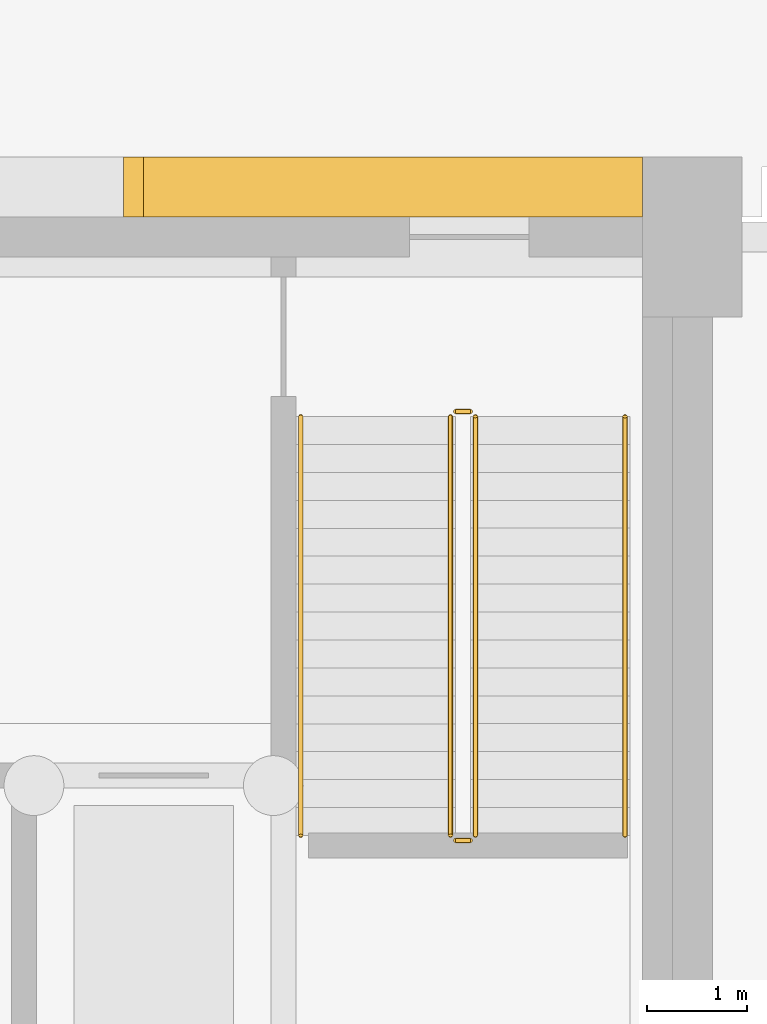
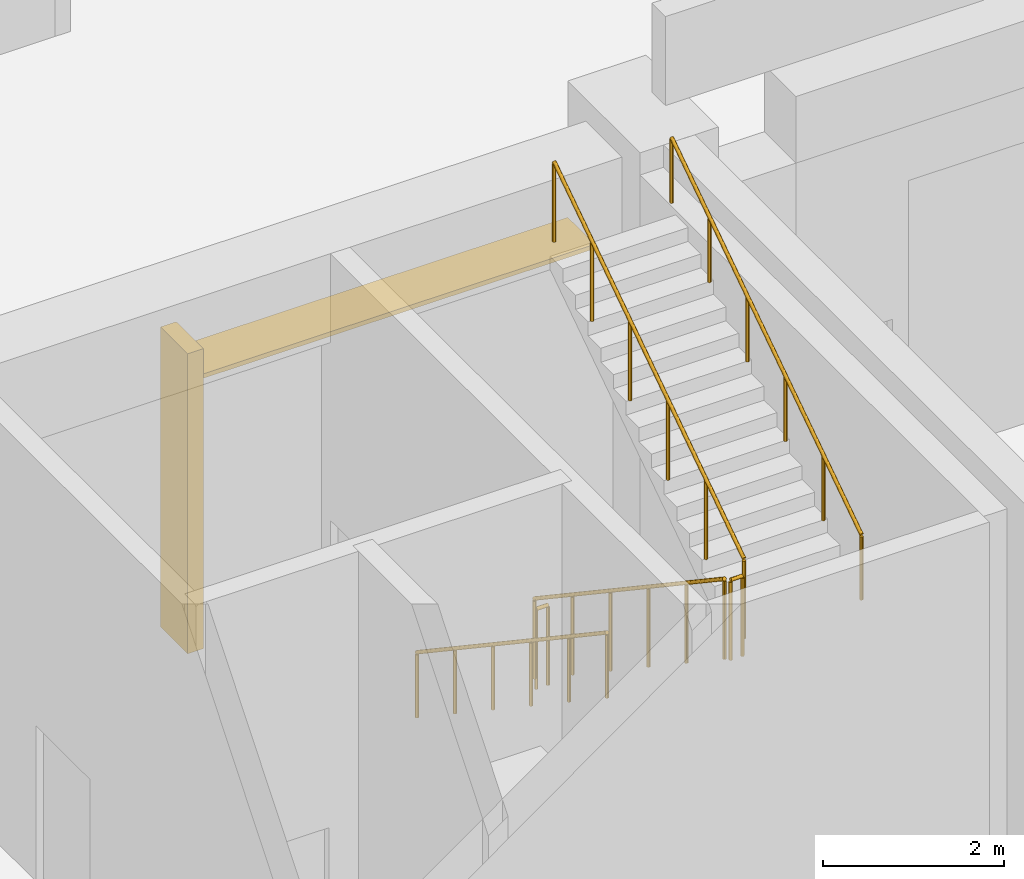
# One storey, part 205 of 210: 6 railings, 1 covering, 1 shading device.
"""IFC4 building model written with IfcOpenShell, lengths in metres."""

import ifcopenshell
import ifcopenshell.guid

model = None  # the IFC model being written
_history = None  # IfcOwnerHistory: only IFC2X3 demands one
_inside = {}  # id of a spatial element -> (the spatial element, [elements in it])
_under = {}  # id of a project, library or spatial element -> (it, [spatial elements below it])
_declared = {}  # id of a project -> (the project, [libraries it declares])
_typed = {}  # id of a type object -> (the type object, [elements of that type])
_made_of = {}  # id of a material, layer set ... -> (it, [elements and type objects made of it])


def new_model(schema):
    """Start an empty IFC model of exactly this schema.

    Asked for "IFC4X3", IfcOpenShell would pick the latest addendum, in which some entities
    have other attributes; the version numbers below select the first issue.
    IFC2X3 requires an IfcOwnerHistory on every rooted entity: one is made here for all.
    """
    global model, _history
    if schema == "IFC4X3":
        model = ifcopenshell.file(schema_version=(4, 3, 0, 0))
    else:
        model = ifcopenshell.file(schema=schema)
    _inside.clear()
    _under.clear()
    _declared.clear()
    _typed.clear()
    _made_of.clear()
    _history = None
    if model.schema == "IFC2X3":
        org = make("IfcOrganization", Name="unknown")
        user = make(
            "IfcPersonAndOrganization",
            ThePerson=make("IfcPerson", FamilyName="unknown"),
            TheOrganization=org,
        )
        app = make(
            "IfcApplication",
            ApplicationDeveloper=org,
            Version="unknown",
            ApplicationFullName="unknown",
            ApplicationIdentifier="unknown",
        )
        _history = make(
            "IfcOwnerHistory",
            OwningUser=user,
            OwningApplication=app,
            ChangeAction="ADDED",
            CreationDate=0,
        )
    return model


def make(cls, **values):
    """One entity of the class cls with the attributes given. An attribute that is None is left unset."""
    return model.create_entity(
        cls, **{name: value for name, value in values.items() if value is not None}
    )


def rooted(cls, **values):
    """An entity with a GlobalId (a new one), such as an element, a storey or a relation."""
    return make(cls, GlobalId=ifcopenshell.guid.new(), OwnerHistory=_history, **values)


def si_unit(unit_type, name, prefix=None):
    """IfcSIUnit, for example si_unit("LENGTHUNIT", "METRE", prefix="MILLI")."""
    return make("IfcSIUnit", UnitType=unit_type, Prefix=prefix, Name=name)


def assignment(units):
    """IfcUnitAssignment: the units of a project."""
    return None if units is None else make("IfcUnitAssignment", Units=units)


def point(xyz):
    """IfcCartesianPoint."""
    return None if xyz is None else make("IfcCartesianPoint", Coordinates=xyz)


def direction(xyz):
    """IfcDirection."""
    return None if xyz is None else make("IfcDirection", DirectionRatios=xyz)


def frame(location, z_axis=None, x_axis=None):
    """IfcAxis2Placement3D, a coordinate frame: its origin and axes. An axis left out is left unset."""
    return make(
        "IfcAxis2Placement3D",
        Location=point(location),
        Axis=direction(z_axis),
        RefDirection=direction(x_axis),
    )


def frame_2d(location, x_axis=None):
    """IfcAxis2Placement2D, a coordinate frame in the plane: its origin and x axis."""
    return make(
        "IfcAxis2Placement2D", Location=point(location), RefDirection=direction(x_axis)
    )


def origin():
    """The frame at (0, 0, 0) with its axes left unset."""
    return frame((0.0, 0.0, 0.0))


def origin_2d():
    """The frame at (0, 0) in the plane with its x axis left unset."""
    return frame_2d((0.0, 0.0))


def place(relative_to, where):
    """IfcLocalPlacement: puts the frame where relative to a parent placement (None: the world)."""
    return make(
        "IfcLocalPlacement", PlacementRelTo=relative_to, RelativePlacement=where
    )


def context(
    kind, dimensions, precision=None, world=None, true_north=None, identifier=None
):
    """IfcGeometricRepresentationContext, for example the 3D "Model" context."""
    return make(
        "IfcGeometricRepresentationContext",
        ContextIdentifier=identifier,
        ContextType=kind,
        CoordinateSpaceDimension=dimensions,
        Precision=precision,
        WorldCoordinateSystem=world,
        TrueNorth=true_north,
    )


def subcontext(parent, identifier, kind, view, scale=None):
    """IfcGeometricRepresentationSubContext, for example "Body" below "Model"."""
    return make(
        "IfcGeometricRepresentationSubContext",
        ContextIdentifier=identifier,
        ContextType=kind,
        ParentContext=parent,
        TargetScale=scale,
        TargetView=view,
    )


def project(units=None, contexts=None):
    """IfcProject with its units and contexts."""
    return rooted(
        "IfcProject",
        Name="project",
        RepresentationContexts=contexts,
        UnitsInContext=assignment(units),
    )


def spatial(cls, under=None, at=None, **own):
    """A site, building, storey or space (cls), placed at a placement, below another one or the project."""
    s = rooted(cls, ObjectPlacement=at, **own)
    if under is not None:
        _under.setdefault(under.id(), (under, []))[1].append(s)
    return s


def profile(cls, at=None, kind="AREA", **sizes):
    """A parametric profile (cls). Its sizes go by their IFC names, for example OverallWidth=200.0."""
    return make(cls, ProfileType=kind, Position=at, **sizes)


def rectangle(**sizes):
    """IfcRectangleProfileDef."""
    return profile("IfcRectangleProfileDef", **sizes)


def circle(**sizes):
    """IfcCircleProfileDef."""
    return profile("IfcCircleProfileDef", **sizes)


def extrude(swept, where, along, depth):
    """IfcExtrudedAreaSolid: the profile swept, set in the frame where, extruded along a direction by depth."""
    return make(
        "IfcExtrudedAreaSolid",
        SweptArea=swept,
        Position=where,
        ExtrudedDirection=direction(along),
        Depth=depth,
    )


def shape(context_of_items, identifier, shape_type, items):
    """IfcShapeRepresentation: the items that make up one representation, for example the "Body"."""
    return make(
        "IfcShapeRepresentation",
        ContextOfItems=context_of_items,
        RepresentationIdentifier=identifier,
        RepresentationType=shape_type,
        Items=items,
    )


def material(Name=None, Category=None):
    """IfcMaterial."""
    return make("IfcMaterial", Name=Name, Category=Category)


def layer(
    of_material, thickness, ventilated=None, Name=None, Category=None, Priority=None
):
    """IfcMaterialLayer: one layer of a wall or slab, of a material (None: an air gap)."""
    return make(
        "IfcMaterialLayer",
        Material=of_material,
        LayerThickness=thickness,
        IsVentilated=ventilated,
        Name=Name,
        Category=Category,
        Priority=Priority,
    )


def layer_set(layers, Name=None):
    """IfcMaterialLayerSet."""
    return make("IfcMaterialLayerSet", MaterialLayers=layers, LayerSetName=Name)


def made_of(thing, what):
    """Note that an element or type object is made of a material, layer set ...; save() writes the relation."""
    if what is not None:
        _made_of.setdefault(what.id(), (what, []))[1].append(thing)
    return thing


def type_object(cls, material=None, **own):
    """A type object (cls), such as IfcWallType, which elements share."""
    return made_of(rooted(cls, **own), material)


def element(
    cls,
    number,
    at=None,
    inside=None,
    cuts=None,
    type_object=None,
    material=None,
    context=None,
    identifier="Body",
    shape_type=None,
    held_by="IfcProductDefinitionShape",
    body=None,
    shapes=None,
    **own,
):
    """One element of the class cls, such as IfcWall. Its Tag is "e" and its number.

    at: its placement. inside: the storey or other place that contains it. cuts: it is an
    opening in that element (IfcRelVoidsElement). A single representation is given by context,
    identifier, shape_type and body (its items); several are given by shapes. held_by: the class
    of the entity that holds the representations. save() writes the other relations.
    """
    e = rooted(cls, Tag="e%d" % number, ObjectPlacement=at, **own)
    if body is not None:
        shapes = [shape(context, identifier, shape_type, body)]
    if shapes is not None:
        e.Representation = make(held_by, Representations=shapes)
    if inside is not None:
        _inside.setdefault(inside.id(), (inside, []))[1].append(e)
    if cuts is not None:
        rooted(
            "IfcRelVoidsElement", RelatingBuildingElement=cuts, RelatedOpeningElement=e
        )
    if type_object is not None:
        _typed.setdefault(type_object.id(), (type_object, []))[1].append(e)
    return made_of(e, material)


def aggregate(whole, parts):
    """IfcRelAggregates: a whole, such as a stair, and the parts it consists of."""
    return rooted("IfcRelAggregates", RelatingObject=whole, RelatedObjects=parts)


def save(model, path):
    """Write the relations noted so far, then the file.

    IfcRelAggregates (storeys below a building ...), IfcRelContainedInSpatialStructure (elements
    in a storey), IfcRelDefinesByType, IfcRelAssociatesMaterial and IfcRelDeclares: one each for
    every whole, place, type object, material and project.
    """
    for whole, parts in _under.values():
        aggregate(whole, parts)
    for where, things in _inside.values():
        rooted(
            "IfcRelContainedInSpatialStructure",
            RelatedElements=things,
            RelatingStructure=where,
        )
    for kind, things in _typed.values():
        rooted("IfcRelDefinesByType", RelatedObjects=things, RelatingType=kind)
    for what, things in _made_of.values():
        rooted("IfcRelAssociatesMaterial", RelatedObjects=things, RelatingMaterial=what)
    for by, libraries in _declared.values():
        rooted("IfcRelDeclares", RelatingContext=by, RelatedDefinitions=libraries)
    model.write(path)


model = new_model("IFC4")

# Units and contexts
model_context = context("Model", 3, precision=1e-05, world=origin(), true_north=direction((0.0, 1.0)))
body_context = subcontext(model_context, "Body", "Model", "MODEL_VIEW")
ifc_project = project(units=[si_unit("LENGTHUNIT", "METRE"), si_unit("AREAUNIT", "SQUARE_METRE"), si_unit("VOLUMEUNIT", "CUBIC_METRE"), si_unit("PLANEANGLEUNIT", "RADIAN"), si_unit("MASSUNIT", "GRAM", prefix="KILO")], contexts=[model_context])

# Site, building, storey
site_placement = place(None, origin())
site = spatial("IfcSite", under=ifc_project, at=site_placement, CompositionType="ELEMENT")
building_placement = place(site_placement, origin())
building = spatial("IfcBuilding", under=site, at=building_placement, Name="Rain Tree Exposition and Congress Centre", CompositionType="ELEMENT")
storey_placement = place(building_placement, origin())
storey = spatial("IfcBuildingStorey", under=building, at=storey_placement, Name="L00", CompositionType="ELEMENT", Elevation=0.0)

# Covering
ifc_material_1 = material(Name="Precast concrete C50/60", Category="concrete")
ifc_layer_1 = layer(ifc_material_1, 0.199951171875)
ifc_layer_set_1 = layer_set([ifc_layer_1], Name="Precast concrete C50/60")
covering_type = type_object("IfcCoveringType", Name="North face fin 200x600", PredefinedType="CLADDING", material=ifc_layer_set_1)
covering_placement = place(storey_placement, frame((238.0, 202.10009765625, 0.4501953125), z_axis=(0.0, 0.0, 1.0), x_axis=(1.0, 0.0, 0.0)))
element("IfcCovering", 1, at=covering_placement, inside=storey, type_object=covering_type, Name="Facade fin N6.2", PredefinedType="CLADDING", context=body_context, shape_type="SweptSolid", body=[
    extrude(rectangle(XDim=0.199951171875, YDim=0.60009765625, at=origin_2d()), origin(), (0.0, 0.0, 1.0), 4.050048828125),
])

# Railings
ifc_material_2 = material(Name="Steel S355J2H", Category="steel")
railing_type_1 = type_object("IfcRailingType", Name="Stair guard 1100", PredefinedType="GUARDRAIL", material=ifc_material_2)
railing_1_placement = place(storey_placement, frame((241.175048828125, 199.800048828125, 0.1875)))
element("IfcRailing", 2, at=railing_1_placement, inside=storey, type_object=railing_type_1, Name="L00 ST-H8 stair guard 1", PredefinedType="GUARDRAIL", context=body_context, shape_type="SweptSolid", body=[
    extrude(circle(Radius=0.02392578125, at=origin_2d()), frame((0.0, 0.0, 1.076171875), z_axis=(0.0, -0.830904186295, 0.556415522067), x_axis=(1.0, 0.0, 0.0)), (0.0, 0.0, 1.0), 5.0546875),
    extrude(circle(Radius=0.02099609375, at=origin_2d()), origin(), (0.0, 0.0, 1.0), 1.052001953125),
    extrude(circle(Radius=0.02099609375, at=origin_2d()), frame((0.0, -0.840087890625, 0.5625)), (0.0, 0.0, 1.0), 1.052001953125),
    extrude(circle(Radius=0.02099609375, at=origin_2d()), frame((0.0, -1.679931640625, 1.125)), (0.0, 0.0, 1.0), 1.052001953125),
    extrude(circle(Radius=0.02099609375, at=origin_2d()), frame((0.0, -2.52001953125, 1.6875)), (0.0, 0.0, 1.0), 1.052001953125),
    extrude(circle(Radius=0.02099609375, at=origin_2d()), frame((0.0, -3.35986328125, 2.25)), (0.0, 0.0, 1.0), 1.052001953125),
    extrude(circle(Radius=0.02099609375, at=origin_2d()), frame((0.0, -4.199951171875, 2.8125)), (0.0, 0.0, 1.0), 1.052001953125),
])
railing_2_placement = place(storey_placement, frame((241.22509765625, 195.550048828125, 3.0)))
element("IfcRailing", 3, at=railing_2_placement, inside=storey, type_object=railing_type_1, Name="L00 ST-H8 stair guard 2", PredefinedType="GUARDRAIL", context=body_context, shape_type="SweptSolid", body=[
    extrude(circle(Radius=0.02392578125, at=origin_2d()), frame((0.0, 0.0, 1.076171875), z_axis=(1.0, 0.0, 0.0), x_axis=(0.0, 1.0, 0.0)), (0.0, 0.0, 1.0), 0.14990234375),
    extrude(circle(Radius=0.02099609375, at=origin_2d()), origin(), (0.0, 0.0, 1.0), 1.052001953125),
    extrude(circle(Radius=0.02099609375, at=origin_2d()), frame((0.14990234375, 0.0, 0.0)), (0.0, 0.0, 1.0), 1.052001953125),
])
railing_3_placement = place(storey_placement, frame((241.425048828125, 195.60009765625, 3.1875)))
element("IfcRailing", 4, at=railing_3_placement, inside=storey, type_object=railing_type_1, Name="L00 ST-H8 stair guard 3", PredefinedType="GUARDRAIL", context=body_context, shape_type="SweptSolid", body=[
    extrude(circle(Radius=0.02392578125, at=origin_2d()), frame((0.0, 0.0, 1.076171875), z_axis=(0.0, 0.830904186295, 0.556415522067), x_axis=(-1.0, 0.0, 0.0)), (0.0, 0.0, 1.0), 5.0546875),
    extrude(circle(Radius=0.02099609375, at=origin_2d()), origin(), (0.0, 0.0, 1.0), 1.052001953125),
    extrude(circle(Radius=0.02099609375, at=origin_2d()), frame((0.0, 0.840087890625, 0.5625)), (0.0, 0.0, 1.0), 1.052001953125),
    extrude(circle(Radius=0.02099609375, at=origin_2d()), frame((0.0, 1.679931640625, 1.125)), (0.0, 0.0, 1.0), 1.052001953125),
    extrude(circle(Radius=0.02099609375, at=origin_2d()), frame((0.0, 2.52001953125, 1.6875)), (0.0, 0.0, 1.0), 1.052001953125),
    extrude(circle(Radius=0.02099609375, at=origin_2d()), frame((0.0, 3.35986328125, 2.25)), (0.0, 0.0, 1.0), 1.052001953125),
    extrude(circle(Radius=0.02099609375, at=origin_2d()), frame((0.0, 4.199951171875, 2.8125)), (0.0, 0.0, 1.0), 1.052001953125),
])
railing_4_placement = place(storey_placement, frame((241.22509765625, 199.85009765625, 0.0)))
element("IfcRailing", 5, at=railing_4_placement, inside=storey, type_object=railing_type_1, Name="L00 ST-H8 stair guard 4", PredefinedType="GUARDRAIL", context=body_context, shape_type="SweptSolid", body=[
    extrude(circle(Radius=0.02392578125, at=origin_2d()), frame((0.0, 0.0, 1.076171875), z_axis=(1.0, 0.0, 0.0), x_axis=(0.0, 1.0, 0.0)), (0.0, 0.0, 1.0), 0.14990234375),
    extrude(circle(Radius=0.02099609375, at=origin_2d()), origin(), (0.0, 0.0, 1.0), 1.052001953125),
    extrude(circle(Radius=0.02099609375, at=origin_2d()), frame((0.14990234375, 0.0, 0.0)), (0.0, 0.0, 1.0), 1.052001953125),
])
ifc_material_3 = material(Name="Steel S355J2H", Category="steel")
railing_type_2 = type_object("IfcRailingType", Name="Stair handrail 900", PredefinedType="HANDRAIL", material=ifc_material_3)
railing_5_placement = place(storey_placement, frame((239.675048828125, 199.800048828125, 0.1875)))
element("IfcRailing", 6, at=railing_5_placement, inside=storey, type_object=railing_type_2, Name="L00 ST-H8 stair handrail 1", PredefinedType="HANDRAIL", context=body_context, shape_type="SweptSolid", body=[
    extrude(circle(Radius=0.02392578125, at=origin_2d()), frame((0.0, 0.0, 0.8759765625), z_axis=(0.0, -0.830904186295, 0.556415522067), x_axis=(1.0, 0.0, 0.0)), (0.0, 0.0, 1.0), 5.0546875),
    extrude(circle(Radius=0.02099609375, at=origin_2d()), origin(), (0.0, 0.0, 1.0), 0.851806640625),
    extrude(circle(Radius=0.02099609375, at=origin_2d()), frame((0.0, -0.840087890625, 0.5625)), (0.0, 0.0, 1.0), 0.851806640625),
    extrude(circle(Radius=0.02099609375, at=origin_2d()), frame((0.0, -1.679931640625, 1.125)), (0.0, 0.0, 1.0), 0.851806640625),
    extrude(circle(Radius=0.02099609375, at=origin_2d()), frame((0.0, -2.52001953125, 1.6875)), (0.0, 0.0, 1.0), 0.851806640625),
    extrude(circle(Radius=0.02099609375, at=origin_2d()), frame((0.0, -3.35986328125, 2.25)), (0.0, 0.0, 1.0), 0.851806640625),
    extrude(circle(Radius=0.02099609375, at=origin_2d()), frame((0.0, -4.199951171875, 2.8125)), (0.0, 0.0, 1.0), 0.851806640625),
])
railing_6_placement = place(storey_placement, frame((242.925048828125, 195.60009765625, 3.1875)))
element("IfcRailing", 7, at=railing_6_placement, inside=storey, type_object=railing_type_2, Name="L00 ST-H8 stair handrail 2", PredefinedType="HANDRAIL", context=body_context, shape_type="SweptSolid", body=[
    extrude(circle(Radius=0.02392578125, at=origin_2d()), frame((0.0, 0.0, 0.8759765625), z_axis=(0.0, 0.830904186295, 0.556415522067), x_axis=(-1.0, 0.0, 0.0)), (0.0, 0.0, 1.0), 5.0546875),
    extrude(circle(Radius=0.02099609375, at=origin_2d()), origin(), (0.0, 0.0, 1.0), 0.851806640625),
    extrude(circle(Radius=0.02099609375, at=origin_2d()), frame((0.0, 0.840087890625, 0.5625)), (0.0, 0.0, 1.0), 0.851806640625),
    extrude(circle(Radius=0.02099609375, at=origin_2d()), frame((0.0, 1.679931640625, 1.125)), (0.0, 0.0, 1.0), 0.851806640625),
    extrude(circle(Radius=0.02099609375, at=origin_2d()), frame((0.0, 2.52001953125, 1.6875)), (0.0, 0.0, 1.0), 0.851806640625),
    extrude(circle(Radius=0.02099609375, at=origin_2d()), frame((0.0, 3.35986328125, 2.25)), (0.0, 0.0, 1.0), 0.851806640625),
    extrude(circle(Radius=0.02099609375, at=origin_2d()), frame((0.0, 4.199951171875, 2.8125)), (0.0, 0.0, 1.0), 0.851806640625),
])

# Shading device
ifc_material_4 = material(Name="Aluminium", Category="aluminium")
ifc_layer_2 = layer(ifc_material_4, 0.06005859375)
ifc_layer_set_2 = layer_set([ifc_layer_2], Name="Aluminium")
shading_device_type = type_object("IfcShadingDeviceType", Name="Sun blade 60x600", PredefinedType="JALOUSIE", material=ifc_layer_set_2)
shading_device_placement = place(storey_placement, frame((240.60009765625, 202.10009765625, 4.099853515625), z_axis=(0.0, 0.0, 1.0), x_axis=(1.0, 0.0, 0.0)))
element("IfcShadingDevice", 8, at=shading_device_placement, inside=storey, type_object=shading_device_type, Name="Sun blade N6.3.1", PredefinedType="JALOUSIE", context=body_context, shape_type="SweptSolid", body=[
    extrude(rectangle(XDim=5.0, YDim=0.60009765625, at=origin_2d()), origin(), (0.0, 0.0, 1.0), 0.06005859375),
])

save(model, "model.ifc")
